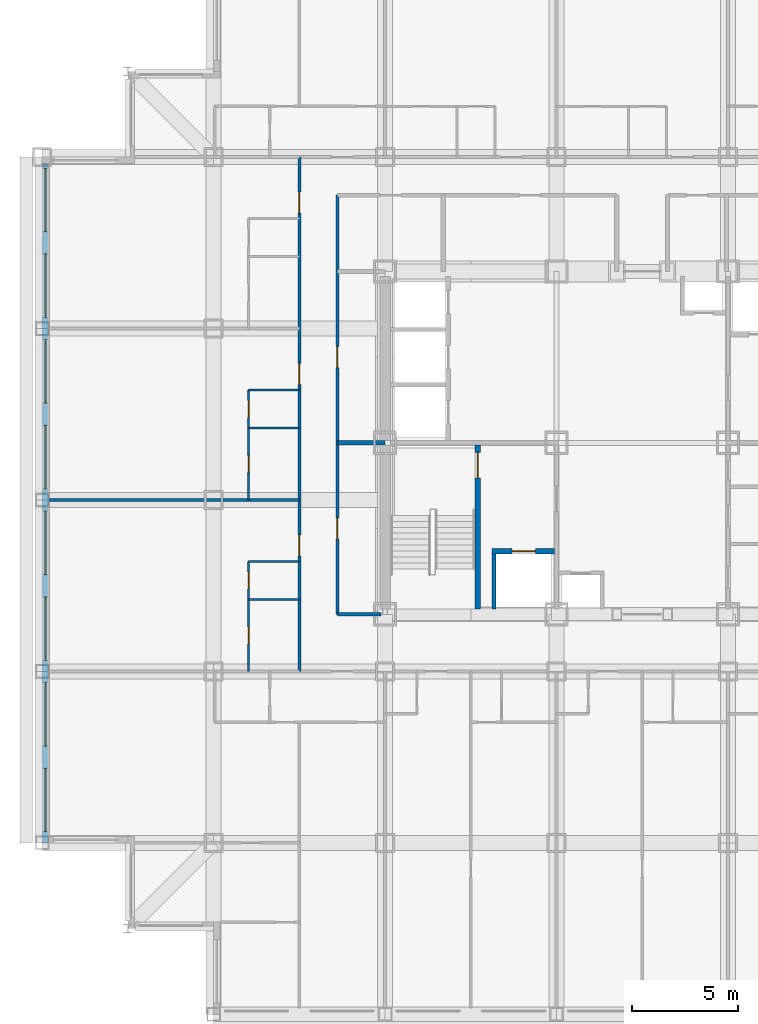
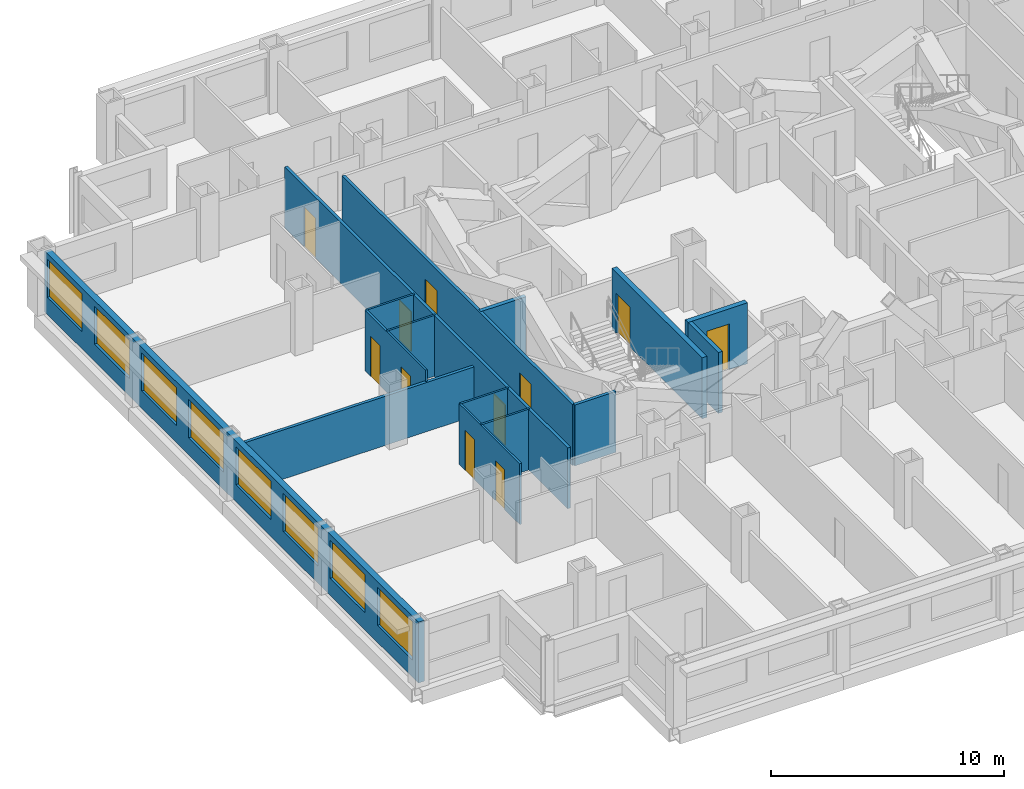
# One storey, part 5 of 12: 15 walls, 11 doors, 8 windows, 19 openings.
"""IFC4 building model written with IfcOpenShell, lengths in metres."""

import ifcopenshell
import ifcopenshell.guid

model = None  # the IFC model being written
_history = None  # IfcOwnerHistory: only IFC2X3 demands one
_inside = {}  # id of a spatial element -> (the spatial element, [elements in it])
_under = {}  # id of a project, library or spatial element -> (it, [spatial elements below it])
_declared = {}  # id of a project -> (the project, [libraries it declares])
_typed = {}  # id of a type object -> (the type object, [elements of that type])
_made_of = {}  # id of a material, layer set ... -> (it, [elements and type objects made of it])


def new_model(schema):
    """Start an empty IFC model of exactly this schema.

    Asked for "IFC4X3", IfcOpenShell would pick the latest addendum, in which some entities
    have other attributes; the version numbers below select the first issue.
    IFC2X3 requires an IfcOwnerHistory on every rooted entity: one is made here for all.
    """
    global model, _history
    if schema == "IFC4X3":
        model = ifcopenshell.file(schema_version=(4, 3, 0, 0))
    else:
        model = ifcopenshell.file(schema=schema)
    _inside.clear()
    _under.clear()
    _declared.clear()
    _typed.clear()
    _made_of.clear()
    _history = None
    if model.schema == "IFC2X3":
        org = make("IfcOrganization", Name="unknown")
        user = make(
            "IfcPersonAndOrganization",
            ThePerson=make("IfcPerson", FamilyName="unknown"),
            TheOrganization=org,
        )
        app = make(
            "IfcApplication",
            ApplicationDeveloper=org,
            Version="unknown",
            ApplicationFullName="unknown",
            ApplicationIdentifier="unknown",
        )
        _history = make(
            "IfcOwnerHistory",
            OwningUser=user,
            OwningApplication=app,
            ChangeAction="ADDED",
            CreationDate=0,
        )
    return model


def make(cls, **values):
    """One entity of the class cls with the attributes given. An attribute that is None is left unset."""
    return model.create_entity(
        cls, **{name: value for name, value in values.items() if value is not None}
    )


def rooted(cls, **values):
    """An entity with a GlobalId (a new one), such as an element, a storey or a relation."""
    return make(cls, GlobalId=ifcopenshell.guid.new(), OwnerHistory=_history, **values)


def si_unit(unit_type, name, prefix=None):
    """IfcSIUnit, for example si_unit("LENGTHUNIT", "METRE", prefix="MILLI")."""
    return make("IfcSIUnit", UnitType=unit_type, Prefix=prefix, Name=name)


def assignment(units):
    """IfcUnitAssignment: the units of a project."""
    return None if units is None else make("IfcUnitAssignment", Units=units)


def point(xyz):
    """IfcCartesianPoint."""
    return None if xyz is None else make("IfcCartesianPoint", Coordinates=xyz)


def direction(xyz):
    """IfcDirection."""
    return None if xyz is None else make("IfcDirection", DirectionRatios=xyz)


def frame(location, z_axis=None, x_axis=None):
    """IfcAxis2Placement3D, a coordinate frame: its origin and axes. An axis left out is left unset."""
    return make(
        "IfcAxis2Placement3D",
        Location=point(location),
        Axis=direction(z_axis),
        RefDirection=direction(x_axis),
    )


def frame_2d(location, x_axis=None):
    """IfcAxis2Placement2D, a coordinate frame in the plane: its origin and x axis."""
    return make(
        "IfcAxis2Placement2D", Location=point(location), RefDirection=direction(x_axis)
    )


def origin():
    """The frame at (0, 0, 0) with its axes left unset."""
    return frame((0.0, 0.0, 0.0))


def place(relative_to, where):
    """IfcLocalPlacement: puts the frame where relative to a parent placement (None: the world)."""
    return make(
        "IfcLocalPlacement", PlacementRelTo=relative_to, RelativePlacement=where
    )


def context(
    kind, dimensions, precision=None, world=None, true_north=None, identifier=None
):
    """IfcGeometricRepresentationContext, for example the 3D "Model" context."""
    return make(
        "IfcGeometricRepresentationContext",
        ContextIdentifier=identifier,
        ContextType=kind,
        CoordinateSpaceDimension=dimensions,
        Precision=precision,
        WorldCoordinateSystem=world,
        TrueNorth=true_north,
    )


def subcontext(parent, identifier, kind, view, scale=None):
    """IfcGeometricRepresentationSubContext, for example "Body" below "Model"."""
    return make(
        "IfcGeometricRepresentationSubContext",
        ContextIdentifier=identifier,
        ContextType=kind,
        ParentContext=parent,
        TargetScale=scale,
        TargetView=view,
    )


def project(units=None, contexts=None):
    """IfcProject with its units and contexts."""
    return rooted(
        "IfcProject",
        Name="project",
        RepresentationContexts=contexts,
        UnitsInContext=assignment(units),
    )


def spatial(cls, under=None, at=None, **own):
    """A site, building, storey or space (cls), placed at a placement, below another one or the project."""
    s = rooted(cls, ObjectPlacement=at, **own)
    if under is not None:
        _under.setdefault(under.id(), (under, []))[1].append(s)
    return s


def profile(cls, at=None, kind="AREA", **sizes):
    """A parametric profile (cls). Its sizes go by their IFC names, for example OverallWidth=200.0."""
    return make(cls, ProfileType=kind, Position=at, **sizes)


def rectangle(**sizes):
    """IfcRectangleProfileDef."""
    return profile("IfcRectangleProfileDef", **sizes)


def extrude(swept, where, along, depth):
    """IfcExtrudedAreaSolid: the profile swept, set in the frame where, extruded along a direction by depth."""
    return make(
        "IfcExtrudedAreaSolid",
        SweptArea=swept,
        Position=where,
        ExtrudedDirection=direction(along),
        Depth=depth,
    )


def shape(context_of_items, identifier, shape_type, items):
    """IfcShapeRepresentation: the items that make up one representation, for example the "Body"."""
    return make(
        "IfcShapeRepresentation",
        ContextOfItems=context_of_items,
        RepresentationIdentifier=identifier,
        RepresentationType=shape_type,
        Items=items,
    )


def material(Name=None, Category=None):
    """IfcMaterial."""
    return make("IfcMaterial", Name=Name, Category=Category)


def layer(
    of_material, thickness, ventilated=None, Name=None, Category=None, Priority=None
):
    """IfcMaterialLayer: one layer of a wall or slab, of a material (None: an air gap)."""
    return make(
        "IfcMaterialLayer",
        Material=of_material,
        LayerThickness=thickness,
        IsVentilated=ventilated,
        Name=Name,
        Category=Category,
        Priority=Priority,
    )


def layer_set(layers, Name=None):
    """IfcMaterialLayerSet."""
    return make("IfcMaterialLayerSet", MaterialLayers=layers, LayerSetName=Name)


def made_of(thing, what):
    """Note that an element or type object is made of a material, layer set ...; save() writes the relation."""
    if what is not None:
        _made_of.setdefault(what.id(), (what, []))[1].append(thing)
    return thing


def type_object(cls, material=None, **own):
    """A type object (cls), such as IfcWallType, which elements share."""
    return made_of(rooted(cls, **own), material)


def element(
    cls,
    number,
    at=None,
    inside=None,
    cuts=None,
    type_object=None,
    material=None,
    context=None,
    identifier="Body",
    shape_type=None,
    held_by="IfcProductDefinitionShape",
    body=None,
    shapes=None,
    **own,
):
    """One element of the class cls, such as IfcWall. Its Tag is "e" and its number.

    at: its placement. inside: the storey or other place that contains it. cuts: it is an
    opening in that element (IfcRelVoidsElement). A single representation is given by context,
    identifier, shape_type and body (its items); several are given by shapes. held_by: the class
    of the entity that holds the representations. save() writes the other relations.
    """
    e = rooted(cls, Tag="e%d" % number, ObjectPlacement=at, **own)
    if body is not None:
        shapes = [shape(context, identifier, shape_type, body)]
    if shapes is not None:
        e.Representation = make(held_by, Representations=shapes)
    if inside is not None:
        _inside.setdefault(inside.id(), (inside, []))[1].append(e)
    if cuts is not None:
        rooted(
            "IfcRelVoidsElement", RelatingBuildingElement=cuts, RelatedOpeningElement=e
        )
    if type_object is not None:
        _typed.setdefault(type_object.id(), (type_object, []))[1].append(e)
    return made_of(e, material)


def fill(opening, filler):
    """IfcRelFillsElement: the door or window that sits in an opening."""
    return rooted(
        "IfcRelFillsElement",
        RelatingOpeningElement=opening,
        RelatedBuildingElement=filler,
    )


def aggregate(whole, parts):
    """IfcRelAggregates: a whole, such as a stair, and the parts it consists of."""
    return rooted("IfcRelAggregates", RelatingObject=whole, RelatedObjects=parts)


def save(model, path):
    """Write the relations noted so far, then the file.

    IfcRelAggregates (storeys below a building ...), IfcRelContainedInSpatialStructure (elements
    in a storey), IfcRelDefinesByType, IfcRelAssociatesMaterial and IfcRelDeclares: one each for
    every whole, place, type object, material and project.
    """
    for whole, parts in _under.values():
        aggregate(whole, parts)
    for where, things in _inside.values():
        rooted(
            "IfcRelContainedInSpatialStructure",
            RelatedElements=things,
            RelatingStructure=where,
        )
    for kind, things in _typed.values():
        rooted("IfcRelDefinesByType", RelatedObjects=things, RelatingType=kind)
    for what, things in _made_of.values():
        rooted("IfcRelAssociatesMaterial", RelatedObjects=things, RelatingMaterial=what)
    for by, libraries in _declared.values():
        rooted("IfcRelDeclares", RelatingContext=by, RelatedDefinitions=libraries)
    model.write(path)


model = new_model("IFC4")

# Units and contexts
model_context = context("Model", 3, precision=1e-05, world=origin(), true_north=direction((0.0, 1.0)))
body_context = subcontext(model_context, "Body", "Model", "MODEL_VIEW")
ifc_project = project(units=[si_unit("LENGTHUNIT", "METRE"), si_unit("AREAUNIT", "SQUARE_METRE"), si_unit("VOLUMEUNIT", "CUBIC_METRE"), si_unit("PLANEANGLEUNIT", "RADIAN"), si_unit("MASSUNIT", "GRAM", prefix="KILO")], contexts=[model_context])

# Site, building, storey
site_placement = place(None, origin())
site = spatial("IfcSite", under=ifc_project, at=site_placement, CompositionType="ELEMENT")
building_placement = place(site_placement, origin())
building = spatial("IfcBuilding", under=site, at=building_placement, Name="Kopane Lantern Tower", CompositionType="ELEMENT")
storey_placement = place(building_placement, frame((0.0, 0.0, 103.39990234375)))
storey = spatial("IfcBuildingStorey", under=building, at=storey_placement, Name="L25", CompositionType="ELEMENT", Elevation=103.39990234375)

# Wall, openings, doors
ifc_material_1 = material(Name="Moisture-resistant board on steel studs", Category="steel")
ifc_layer_1 = layer(ifc_material_1, 0.10009765625)
ifc_layer_set_1 = layer_set([ifc_layer_1], Name="BATHROOM WALL 100")
wall_type_1 = type_object("IfcWallType", Name="BATHROOM WALL 100", PredefinedType="PARTITIONING", material=ifc_layer_set_1)
wall_1_placement = place(storey_placement, frame((9.75, 21.60009765625, 0.0), z_axis=(0.0, 0.0, 1.0), x_axis=(0.0, 1.0, 0.0)))
wall_1 = element("IfcWall", 1, at=wall_1_placement, inside=storey, type_object=wall_type_1, Name="Bathroom Wall 100 L25", PredefinedType="PARTITIONING", context=body_context, shape_type="SweptSolid", body=[
    extrude(rectangle(XDim=5.199951171875, YDim=0.10009765625, at=frame_2d((2.60009765625, 0.0))), origin(), (0.0, 0.0, 1.0), 3.190185546875),
])
opening_1_placement = place(wall_1_placement, frame((1.300048828125, 0.0, 0.0)))
opening_1 = element("IfcOpeningElement", 2, at=opening_1_placement, cuts=wall_1, Name="Opening L25-030", PredefinedType="OPENING", context=body_context, shape_type="SweptSolid", body=[
    extrude(rectangle(XDim=0.800048828125, YDim=2.10009765625, at=frame_2d((0.39990234375, 1.050048828125))), frame((0.0, 0.06005859375, 0.0), z_axis=(0.0, -1.0, 0.0), x_axis=(1.0, 0.0, 0.0)), (0.0, 0.0, 1.0), 0.1201171875),
])
opening_2_placement = place(wall_1_placement, frame((3.89990234375, 0.0, 0.0)))
opening_2 = element("IfcOpeningElement", 3, at=opening_2_placement, cuts=wall_1, Name="Opening L25-031", PredefinedType="OPENING", context=body_context, shape_type="SweptSolid", body=[
    extrude(rectangle(XDim=0.800048828125, YDim=2.10009765625, at=frame_2d((0.39990234375, 1.050048828125))), frame((0.0, 0.06005859375, 0.0), z_axis=(0.0, -1.0, 0.0), x_axis=(1.0, 0.0, 0.0)), (0.0, 0.0, 1.0), 0.1201171875),
])
ifc_material_2 = material(Name="Timber door set", Category="wood")
door_type_1 = type_object("IfcDoorType", Name="DOOR D2 800x2100", OperationType="SINGLE_SWING_LEFT", PredefinedType="DOOR", material=ifc_material_2)
door_1_placement = place(opening_1_placement, origin())
door_1 = element("IfcDoor", 4, at=door_1_placement, inside=storey, type_object=door_type_1, Name="Door L25-030", OperationType="SINGLE_SWING_LEFT", OverallHeight=2.10009765625, OverallWidth=0.800048828125, PredefinedType="DOOR", context=body_context, shape_type="SweptSolid", body=[
    extrude(rectangle(XDim=0.800048828125, YDim=2.10009765625, at=frame_2d((0.39990234375, 1.050048828125))), frame((0.0, 0.02490234375, 0.0), z_axis=(0.0, -1.0, 0.0), x_axis=(1.0, 0.0, 0.0)), (0.0, 0.0, 1.0), 0.050048828125),
])
fill(opening_1, door_1)
door_2_placement = place(opening_2_placement, origin())
door_2 = element("IfcDoor", 5, at=door_2_placement, inside=storey, type_object=door_type_1, Name="Door L25-031", OperationType="SINGLE_SWING_LEFT", OverallHeight=2.10009765625, OverallWidth=0.800048828125, PredefinedType="DOOR", context=body_context, shape_type="SweptSolid", body=[
    extrude(rectangle(XDim=0.800048828125, YDim=2.10009765625, at=frame_2d((0.39990234375, 1.050048828125))), frame((0.0, 0.02490234375, 0.0), z_axis=(0.0, -1.0, 0.0), x_axis=(1.0, 0.0, 0.0)), (0.0, 0.0, 1.0), 0.050048828125),
])
fill(opening_2, door_2)

# Walls
for number, where, z_axis, x_axis, name in (
    (6, (12.14990234375, 25.0, 0.0), (0.0, 0.0, 1.0), (-1.0, 0.0, 0.0), "Bathroom Wall 100 L25"),
    (7, (12.14990234375, 26.800048828125, 0.0), (0.0, 0.0, 1.0), (-1.0, 0.0, 0.0), "Bathroom Wall 100 L25"),
):
    element("IfcWall", number, at=place(storey_placement, frame(where, z_axis=z_axis, x_axis=x_axis)), inside=storey, type_object=wall_type_1, Name=name, PredefinedType="PARTITIONING", context=body_context, shape_type="SweptSolid", body=[
        extrude(rectangle(XDim=2.39990234375, YDim=0.10009765625, at=frame_2d((1.199951171875, 0.0))), origin(), (0.0, 0.0, 1.0), 3.190185546875),
    ])

# Wall, openings, doors
wall_2_placement = place(storey_placement, frame((9.75, 29.699951171875, 0.0), z_axis=(0.0, 0.0, 1.0), x_axis=(0.0, 1.0, 0.0)))
wall_2 = element("IfcWall", 8, at=wall_2_placement, inside=storey, type_object=wall_type_1, Name="Bathroom Wall 100 L25", PredefinedType="PARTITIONING", context=body_context, shape_type="SweptSolid", body=[
    extrude(rectangle(XDim=5.199951171875, YDim=0.10009765625, at=frame_2d((2.60009765625, 0.0))), origin(), (0.0, 0.0, 1.0), 3.190185546875),
])
opening_3_placement = place(wall_2_placement, frame((1.300048828125, 0.0, 0.0)))
opening_3 = element("IfcOpeningElement", 9, at=opening_3_placement, cuts=wall_2, Name="Opening L25-033", PredefinedType="OPENING", context=body_context, shape_type="SweptSolid", body=[
    extrude(rectangle(XDim=0.800048828125, YDim=2.10009765625, at=frame_2d((0.39990234375, 1.050048828125))), frame((0.0, 0.06005859375, 0.0), z_axis=(0.0, -1.0, 0.0), x_axis=(1.0, 0.0, 0.0)), (0.0, 0.0, 1.0), 0.1201171875),
])
opening_4_placement = place(wall_2_placement, frame((3.89990234375, 0.0, 0.0)))
opening_4 = element("IfcOpeningElement", 10, at=opening_4_placement, cuts=wall_2, Name="Opening L25-034", PredefinedType="OPENING", context=body_context, shape_type="SweptSolid", body=[
    extrude(rectangle(XDim=0.800048828125, YDim=2.10009765625, at=frame_2d((0.39990234375, 1.050048828125))), frame((0.0, 0.06005859375, 0.0), z_axis=(0.0, -1.0, 0.0), x_axis=(1.0, 0.0, 0.0)), (0.0, 0.0, 1.0), 0.1201171875),
])
door_3_placement = place(opening_3_placement, origin())
door_3 = element("IfcDoor", 11, at=door_3_placement, inside=storey, type_object=door_type_1, Name="Door L25-033", OperationType="SINGLE_SWING_LEFT", OverallHeight=2.10009765625, OverallWidth=0.800048828125, PredefinedType="DOOR", context=body_context, shape_type="SweptSolid", body=[
    extrude(rectangle(XDim=0.800048828125, YDim=2.10009765625, at=frame_2d((0.39990234375, 1.050048828125))), frame((0.0, 0.02490234375, 0.0), z_axis=(0.0, -1.0, 0.0), x_axis=(1.0, 0.0, 0.0)), (0.0, 0.0, 1.0), 0.050048828125),
])
fill(opening_3, door_3)
door_4_placement = place(opening_4_placement, origin())
door_4 = element("IfcDoor", 12, at=door_4_placement, inside=storey, type_object=door_type_1, Name="Door L25-034", OperationType="SINGLE_SWING_LEFT", OverallHeight=2.10009765625, OverallWidth=0.800048828125, PredefinedType="DOOR", context=body_context, shape_type="SweptSolid", body=[
    extrude(rectangle(XDim=0.800048828125, YDim=2.10009765625, at=frame_2d((0.39990234375, 1.050048828125))), frame((0.0, 0.02490234375, 0.0), z_axis=(0.0, -1.0, 0.0), x_axis=(1.0, 0.0, 0.0)), (0.0, 0.0, 1.0), 0.050048828125),
])
fill(opening_4, door_4)

# Walls
for number, where, z_axis, x_axis, name in (
    (13, (12.14990234375, 33.10009765625, 0.0), (0.0, 0.0, 1.0), (-1.0, 0.0, 0.0), "Bathroom Wall 100 L25"),
    (14, (12.14990234375, 34.89990234375, 0.0), (0.0, 0.0, 1.0), (-1.0, 0.0, 0.0), "Bathroom Wall 100 L25"),
):
    element("IfcWall", number, at=place(storey_placement, frame(where, z_axis=z_axis, x_axis=x_axis)), inside=storey, type_object=wall_type_1, Name=name, PredefinedType="PARTITIONING", context=body_context, shape_type="SweptSolid", body=[
        extrude(rectangle(XDim=2.39990234375, YDim=0.10009765625, at=frame_2d((1.199951171875, 0.0))), origin(), (0.0, 0.0, 1.0), 3.190185546875),
    ])

# Wall, opening, door
ifc_material_3 = material(Name="Gypsum shaft wall EI 120", Category="gypsum")
ifc_layer_2 = layer(ifc_material_3, 0.25)
ifc_layer_set_2 = layer_set([ifc_layer_2], Name="CORE SHAFT WALL 250 EI 120")
wall_type_2 = type_object("IfcWallType", Name="CORE SHAFT WALL 250 EI 120", PredefinedType="SOLIDWALL", material=ifc_layer_set_2)
wall_3_placement = place(storey_placement, frame((20.574951171875, 24.550048828125, 0.0), z_axis=(0.0, 0.0, 1.0), x_axis=(0.0, 1.0, 0.0)))
wall_3 = element("IfcWall", 15, at=wall_3_placement, inside=storey, type_object=wall_type_2, Name="Core shaft wall L25 XST1", PredefinedType="SOLIDWALL", context=body_context, shape_type="SweptSolid", body=[
    extrude(rectangle(XDim=7.75, YDim=0.25, at=frame_2d((3.875, 0.0))), origin(), (0.0, 0.0, 1.0), 3.190185546875),
])
opening_5_placement = place(wall_3_placement, frame((6.199951171875, 0.0, 0.0)))
opening_5 = element("IfcOpeningElement", 16, at=opening_5_placement, cuts=wall_3, Name="Opening 25.SD1", PredefinedType="OPENING", context=body_context, shape_type="SweptSolid", body=[
    extrude(rectangle(XDim=1.199951171875, YDim=2.10009765625, at=frame_2d((0.60009765625, 1.050048828125))), frame((0.0, 0.135009765625, 0.0), z_axis=(0.0, -1.0, 0.0), x_axis=(1.0, 0.0, 0.0)), (0.0, 0.0, 1.0), 0.27001953125),
])
ifc_material_4 = material(Name="Steel door set", Category="steel")
door_type_2 = type_object("IfcDoorType", Name="STAIR DOOR 1200x2100 FD60S", OperationType="SINGLE_SWING_LEFT", PredefinedType="DOOR", material=ifc_material_4)
door_5_placement = place(opening_5_placement, origin())
door_5 = element("IfcDoor", 17, at=door_5_placement, inside=storey, type_object=door_type_2, Name="Stair door ST1 L25", OperationType="SINGLE_SWING_LEFT", OverallHeight=2.10009765625, OverallWidth=1.199951171875, PredefinedType="DOOR", context=body_context, shape_type="SweptSolid", body=[
    extrude(rectangle(XDim=1.199951171875, YDim=2.10009765625, at=frame_2d((0.60009765625, 1.050048828125))), frame((0.0, 0.02490234375, 0.0), z_axis=(0.0, -1.0, 0.0), x_axis=(1.0, 0.0, 0.0)), (0.0, 0.0, 1.0), 0.050048828125),
])
fill(opening_5, door_5)

wall_4_placement = place(storey_placement, frame((21.25, 27.27490234375, 0.0), z_axis=(0.0, 0.0, 1.0), x_axis=(1.0, 0.0, 0.0)))
wall_4 = element("IfcWall", 18, at=wall_4_placement, inside=storey, type_object=wall_type_2, Name="Core shaft wall L25 YLF1", PredefinedType="SOLIDWALL", context=body_context, shape_type="SweptSolid", body=[
    extrude(rectangle(XDim=2.949951171875, YDim=0.25, at=frame_2d((1.47509765625, 0.0))), origin(), (0.0, 0.0, 1.0), 3.190185546875),
])
opening_6_placement = place(wall_4_placement, frame((0.949951171875, 0.0, 0.0)))
opening_6 = element("IfcOpeningElement", 19, at=opening_6_placement, cuts=wall_4, Name="Opening 25.LD-LF1", PredefinedType="OPENING", context=body_context, shape_type="SweptSolid", body=[
    extrude(rectangle(XDim=1.10009765625, YDim=2.39990234375, at=frame_2d((0.550048828125, 1.199951171875))), frame((0.0, 0.135009765625, 0.0), z_axis=(0.0, -1.0, 0.0), x_axis=(1.0, 0.0, 0.0)), (0.0, 0.0, 1.0), 0.27001953125),
])
ifc_material_5 = material(Name="Steel door set", Category="steel")
door_type_3 = type_object("IfcDoorType", Name="LIFT LANDING DOOR 1100x2400 FD60", OperationType="DOUBLE_DOOR_SLIDING", PredefinedType="DOOR", material=ifc_material_5)
door_6_placement = place(opening_6_placement, origin())
door_6 = element("IfcDoor", 20, at=door_6_placement, inside=storey, type_object=door_type_3, Name="Landing door LF1 L25", OperationType="DOUBLE_DOOR_SLIDING", OverallHeight=2.39990234375, OverallWidth=1.10009765625, PredefinedType="DOOR", context=body_context, shape_type="SweptSolid", body=[
    extrude(rectangle(XDim=1.10009765625, YDim=2.39990234375, at=frame_2d((0.550048828125, 1.199951171875))), frame((0.0, 0.02490234375, 0.0), z_axis=(0.0, -1.0, 0.0), x_axis=(1.0, 0.0, 0.0)), (0.0, 0.0, 1.0), 0.050048828125),
])
fill(opening_6, door_6)

# Wall, openings, doors
ifc_material_6 = material(Name="Gypsum board on steel studs", Category="steel")
ifc_layer_3 = layer(ifc_material_6, 0.14990234375)
ifc_layer_set_3 = layer_set([ifc_layer_3], Name="CORRIDOR WALL 150 EI 60")
wall_type_3 = type_object("IfcWallType", Name="CORRIDOR WALL 150 EI 60", PredefinedType="PARTITIONING", material=ifc_layer_set_3)
wall_5_placement = place(storey_placement, frame((12.14990234375, 21.60009765625, 0.0), z_axis=(0.0, 0.0, 1.0), x_axis=(0.0, 1.0, 0.0)))
wall_5 = element("IfcWall", 21, at=wall_5_placement, inside=storey, type_object=wall_type_3, Name="Corridor Wall 150 Ei 60 L25", PredefinedType="PARTITIONING", context=body_context, shape_type="SweptSolid", body=[
    extrude(rectangle(XDim=24.2998046875, YDim=0.14990234375, at=frame_2d((12.14990234375, 0.0))), origin(), (0.0, 0.0, 1.0), 3.190185546875),
])
opening_7_placement = place(wall_5_placement, frame((5.449951171875, 0.0, 0.0)))
opening_7 = element("IfcOpeningElement", 22, at=opening_7_placement, cuts=wall_5, Name="Opening L25-032", PredefinedType="OPENING", context=body_context, shape_type="SweptSolid", body=[
    extrude(rectangle(XDim=1.0, YDim=2.10009765625, at=frame_2d((0.5, 1.050048828125))), frame((0.0, 0.0849609375, 0.0), z_axis=(0.0, -1.0, 0.0), x_axis=(1.0, 0.0, 0.0)), (0.0, 0.0, 1.0), 0.169921875),
])
opening_8_placement = place(wall_5_placement, frame((13.550048828125, 0.0, 0.0)))
opening_8 = element("IfcOpeningElement", 23, at=opening_8_placement, cuts=wall_5, Name="Opening L25-035", PredefinedType="OPENING", context=body_context, shape_type="SweptSolid", body=[
    extrude(rectangle(XDim=1.0, YDim=2.10009765625, at=frame_2d((0.5, 1.050048828125))), frame((0.0, 0.0849609375, 0.0), z_axis=(0.0, -1.0, 0.0), x_axis=(1.0, 0.0, 0.0)), (0.0, 0.0, 1.0), 0.169921875),
])
opening_9_placement = place(wall_5_placement, frame((21.64990234375, 0.0, 0.0)))
opening_9 = element("IfcOpeningElement", 24, at=opening_9_placement, cuts=wall_5, Name="Opening L25-038", PredefinedType="OPENING", context=body_context, shape_type="SweptSolid", body=[
    extrude(rectangle(XDim=1.0, YDim=2.10009765625, at=frame_2d((0.5, 1.050048828125))), frame((0.0, 0.0849609375, 0.0), z_axis=(0.0, -1.0, 0.0), x_axis=(1.0, 0.0, 0.0)), (0.0, 0.0, 1.0), 0.169921875),
])
ifc_material_7 = material(Name="Steel door set", Category="steel")
door_type_4 = type_object("IfcDoorType", Name="DOOR D1 1000x2100 FD30S", OperationType="SINGLE_SWING_LEFT", PredefinedType="DOOR", material=ifc_material_7)
door_7_placement = place(opening_7_placement, origin())
door_7 = element("IfcDoor", 25, at=door_7_placement, inside=storey, type_object=door_type_4, Name="Door L25-032", OperationType="SINGLE_SWING_LEFT", OverallHeight=2.10009765625, OverallWidth=1.0, PredefinedType="DOOR", context=body_context, shape_type="SweptSolid", body=[
    extrude(rectangle(XDim=1.0, YDim=2.10009765625, at=frame_2d((0.5, 1.050048828125))), frame((0.0, 0.02490234375, 0.0), z_axis=(0.0, -1.0, 0.0), x_axis=(1.0, 0.0, 0.0)), (0.0, 0.0, 1.0), 0.050048828125),
])
fill(opening_7, door_7)
door_8_placement = place(opening_8_placement, origin())
door_8 = element("IfcDoor", 26, at=door_8_placement, inside=storey, type_object=door_type_4, Name="Door L25-035", OperationType="SINGLE_SWING_LEFT", OverallHeight=2.10009765625, OverallWidth=1.0, PredefinedType="DOOR", context=body_context, shape_type="SweptSolid", body=[
    extrude(rectangle(XDim=1.0, YDim=2.10009765625, at=frame_2d((0.5, 1.050048828125))), frame((0.0, 0.02490234375, 0.0), z_axis=(0.0, -1.0, 0.0), x_axis=(1.0, 0.0, 0.0)), (0.0, 0.0, 1.0), 0.050048828125),
])
fill(opening_8, door_8)
door_9_placement = place(opening_9_placement, origin())
door_9 = element("IfcDoor", 27, at=door_9_placement, inside=storey, type_object=door_type_4, Name="Door L25-038", OperationType="SINGLE_SWING_LEFT", OverallHeight=2.10009765625, OverallWidth=1.0, PredefinedType="DOOR", context=body_context, shape_type="SweptSolid", body=[
    extrude(rectangle(XDim=1.0, YDim=2.10009765625, at=frame_2d((0.5, 1.050048828125))), frame((0.0, 0.02490234375, 0.0), z_axis=(0.0, -1.0, 0.0), x_axis=(1.0, 0.0, 0.0)), (0.0, 0.0, 1.0), 0.050048828125),
])
fill(opening_9, door_9)

wall_6_placement = place(storey_placement, frame((13.949951171875, 44.10009765625, 0.0), z_axis=(0.0, 0.0, 1.0), x_axis=(0.0, -1.0, 0.0)))
wall_6 = element("IfcWall", 28, at=wall_6_placement, inside=storey, type_object=wall_type_3, Name="Corridor Wall 150 Ei 60 L25", PredefinedType="PARTITIONING", context=body_context, shape_type="SweptSolid", body=[
    extrude(rectangle(XDim=19.800048828125, YDim=0.14990234375, at=frame_2d((9.89990234375, 0.0))), origin(), (0.0, 0.0, 1.0), 3.190185546875),
])
opening_10_placement = place(wall_6_placement, frame((15.25, 0.0, 0.0)))
opening_10 = element("IfcOpeningElement", 29, at=opening_10_placement, cuts=wall_6, Name="Opening L25-001", PredefinedType="OPENING", context=body_context, shape_type="SweptSolid", body=[
    extrude(rectangle(XDim=1.0, YDim=2.10009765625, at=frame_2d((0.5, 1.050048828125))), frame((0.0, 0.0849609375, 0.0), z_axis=(0.0, -1.0, 0.0), x_axis=(1.0, 0.0, 0.0)), (0.0, 0.0, 1.0), 0.169921875),
])
opening_11_placement = place(wall_6_placement, frame((7.14990234375, 0.0, 0.0)))
opening_11 = element("IfcOpeningElement", 30, at=opening_11_placement, cuts=wall_6, Name="Opening L25-002", PredefinedType="OPENING", context=body_context, shape_type="SweptSolid", body=[
    extrude(rectangle(XDim=1.0, YDim=2.10009765625, at=frame_2d((0.5, 1.050048828125))), frame((0.0, 0.0849609375, 0.0), z_axis=(0.0, -1.0, 0.0), x_axis=(1.0, 0.0, 0.0)), (0.0, 0.0, 1.0), 0.169921875),
])
ifc_material_8 = material(Name="Steel door set", Category="steel")
door_type_5 = type_object("IfcDoorType", Name="DOOR D5 1000x2100 FD60", OperationType="SINGLE_SWING_LEFT", PredefinedType="DOOR", material=ifc_material_8)
door_10_placement = place(opening_10_placement, origin())
door_10 = element("IfcDoor", 31, at=door_10_placement, inside=storey, type_object=door_type_5, Name="Door L25-001", OperationType="SINGLE_SWING_RIGHT", OverallHeight=2.10009765625, OverallWidth=1.0, PredefinedType="DOOR", context=body_context, shape_type="SweptSolid", body=[
    extrude(rectangle(XDim=1.0, YDim=2.10009765625, at=frame_2d((0.5, 1.050048828125))), frame((0.0, 0.02490234375, 0.0), z_axis=(0.0, -1.0, 0.0), x_axis=(1.0, 0.0, 0.0)), (0.0, 0.0, 1.0), 0.050048828125),
])
fill(opening_10, door_10)
door_11_placement = place(opening_11_placement, origin())
door_11 = element("IfcDoor", 32, at=door_11_placement, inside=storey, type_object=door_type_5, Name="Door L25-002", OperationType="SINGLE_SWING_LEFT", OverallHeight=2.10009765625, OverallWidth=1.0, PredefinedType="DOOR", context=body_context, shape_type="SweptSolid", body=[
    extrude(rectangle(XDim=1.0, YDim=2.10009765625, at=frame_2d((0.5, 1.050048828125))), frame((0.0, 0.02490234375, 0.0), z_axis=(0.0, -1.0, 0.0), x_axis=(1.0, 0.0, 0.0)), (0.0, 0.0, 1.0), 0.050048828125),
])
fill(opening_11, door_11)

# Walls
wall_7_placement = place(storey_placement, frame((13.949951171875, 24.300048828125, 0.0), z_axis=(0.0, 0.0, 1.0), x_axis=(1.0, 0.0, 0.0)))
element("IfcWall", 33, at=wall_7_placement, inside=storey, type_object=wall_type_3, Name="Corridor Wall 150 Ei 60 L25", PredefinedType="PARTITIONING", context=body_context, shape_type="SweptSolid", body=[
    extrude(rectangle(XDim=2.050048828125, YDim=0.14990234375, at=frame_2d((1.02490234375, 0.0))), origin(), (0.0, 0.0, 1.0), 3.190185546875),
])
ifc_material_9 = material(Name="Gypsum board on steel studs", Category="steel")
ifc_layer_4 = layer(ifc_material_9, 0.14990234375)
ifc_layer_set_4 = layer_set([ifc_layer_4], Name="DEMISING WALL 150 EI 60")
wall_type_4 = type_object("IfcWallType", Name="DEMISING WALL 150 EI 60", PredefinedType="PARTITIONING", material=ifc_layer_set_4)
wall_8_placement = place(storey_placement, frame((12.14990234375, 29.699951171875, 0.0), z_axis=(0.0, 0.0, 1.0), x_axis=(-1.0, 0.0, 0.0)))
element("IfcWall", 34, at=wall_8_placement, inside=storey, type_object=wall_type_4, Name="Demising Wall 150 Ei 60 L25", PredefinedType="PARTITIONING", context=body_context, shape_type="SweptSolid", body=[
    extrude(rectangle(XDim=11.849853515625, YDim=0.14990234375, at=frame_2d((5.9248046875, 0.0))), origin(), (0.0, 0.0, 1.0), 2.577880859375),
])

# Wall, openings, windows
ifc_material_10 = material(Name="Terracotta rainscreen on light steel framing", Category="masonry")
ifc_layer_5 = layer(ifc_material_10, 0.300048828125)
ifc_layer_set_5 = layer_set([ifc_layer_5], Name="EXTERNAL WALL EW1 300 TERRACOTTA")
wall_type_5 = type_object("IfcWallType", Name="EXTERNAL WALL EW1 300 TERRACOTTA", PredefinedType="SOLIDWALL", material=ifc_layer_set_5)
wall_9_placement = place(storey_placement, frame((0.14990234375, 45.60009765625, 0.0), z_axis=(0.0, 0.0, 1.0), x_axis=(0.0, -1.0, 0.0)))
wall_9 = element("IfcWall", 35, at=wall_9_placement, inside=storey, type_object=wall_type_5, Name="External wall W L25", PredefinedType="SOLIDWALL", context=body_context, shape_type="SweptSolid", body=[
    extrude(rectangle(XDim=32.10009765625, YDim=0.300048828125, at=frame_2d((16.050048828125, 0.0))), origin(), (0.0, 0.0, 1.0), 3.190185546875),
])
opening_12_placement = place(wall_9_placement, frame((0.22509765625, 0.0, 0.89990234375)))
opening_12 = element("IfcOpeningElement", 36, at=opening_12_placement, cuts=wall_9, Name="Opening WR300200", PredefinedType="OPENING", context=body_context, shape_type="SweptSolid", body=[
    extrude(rectangle(XDim=3.0, YDim=2.0, at=frame_2d((1.5, 1.0))), frame((0.0, 0.159912109375, 0.0), z_axis=(0.0, -1.0, 0.0), x_axis=(1.0, 0.0, 0.0)), (0.0, 0.0, 1.0), 0.320068359375),
])
opening_13_placement = place(wall_9_placement, frame((4.27490234375, 0.0, 0.89990234375)))
opening_13 = element("IfcOpeningElement", 37, at=opening_13_placement, cuts=wall_9, Name="Opening WR300200", PredefinedType="OPENING", context=body_context, shape_type="SweptSolid", body=[
    extrude(rectangle(XDim=3.0, YDim=2.0, at=frame_2d((1.5, 1.0))), frame((0.0, 0.159912109375, 0.0), z_axis=(0.0, -1.0, 0.0), x_axis=(1.0, 0.0, 0.0)), (0.0, 0.0, 1.0), 0.320068359375),
])
opening_14_placement = place(wall_9_placement, frame((8.324951171875, 0.0, 0.89990234375)))
opening_14 = element("IfcOpeningElement", 38, at=opening_14_placement, cuts=wall_9, Name="Opening WR300200", PredefinedType="OPENING", context=body_context, shape_type="SweptSolid", body=[
    extrude(rectangle(XDim=3.0, YDim=2.0, at=frame_2d((1.5, 1.0))), frame((0.0, 0.159912109375, 0.0), z_axis=(0.0, -1.0, 0.0), x_axis=(1.0, 0.0, 0.0)), (0.0, 0.0, 1.0), 0.320068359375),
])
opening_15_placement = place(wall_9_placement, frame((12.375, 0.0, 0.89990234375)))
opening_15 = element("IfcOpeningElement", 39, at=opening_15_placement, cuts=wall_9, Name="Opening WR300200", PredefinedType="OPENING", context=body_context, shape_type="SweptSolid", body=[
    extrude(rectangle(XDim=3.0, YDim=2.0, at=frame_2d((1.5, 1.0))), frame((0.0, 0.159912109375, 0.0), z_axis=(0.0, -1.0, 0.0), x_axis=(1.0, 0.0, 0.0)), (0.0, 0.0, 1.0), 0.320068359375),
])
opening_16_placement = place(wall_9_placement, frame((16.425048828125, 0.0, 0.89990234375)))
opening_16 = element("IfcOpeningElement", 40, at=opening_16_placement, cuts=wall_9, Name="Opening WR300200", PredefinedType="OPENING", context=body_context, shape_type="SweptSolid", body=[
    extrude(rectangle(XDim=3.0, YDim=2.0, at=frame_2d((1.5, 1.0))), frame((0.0, 0.159912109375, 0.0), z_axis=(0.0, -1.0, 0.0), x_axis=(1.0, 0.0, 0.0)), (0.0, 0.0, 1.0), 0.320068359375),
])
opening_17_placement = place(wall_9_placement, frame((20.47509765625, 0.0, 0.89990234375)))
opening_17 = element("IfcOpeningElement", 41, at=opening_17_placement, cuts=wall_9, Name="Opening WR300200", PredefinedType="OPENING", context=body_context, shape_type="SweptSolid", body=[
    extrude(rectangle(XDim=3.0, YDim=2.0, at=frame_2d((1.5, 1.0))), frame((0.0, 0.159912109375, 0.0), z_axis=(0.0, -1.0, 0.0), x_axis=(1.0, 0.0, 0.0)), (0.0, 0.0, 1.0), 0.320068359375),
])
opening_18_placement = place(wall_9_placement, frame((24.52490234375, 0.0, 0.89990234375)))
opening_18 = element("IfcOpeningElement", 42, at=opening_18_placement, cuts=wall_9, Name="Opening WR300200", PredefinedType="OPENING", context=body_context, shape_type="SweptSolid", body=[
    extrude(rectangle(XDim=3.0, YDim=2.0, at=frame_2d((1.5, 1.0))), frame((0.0, 0.159912109375, 0.0), z_axis=(0.0, -1.0, 0.0), x_axis=(1.0, 0.0, 0.0)), (0.0, 0.0, 1.0), 0.320068359375),
])
opening_19_placement = place(wall_9_placement, frame((28.574951171875, 0.0, 0.89990234375)))
opening_19 = element("IfcOpeningElement", 43, at=opening_19_placement, cuts=wall_9, Name="Opening WR300200", PredefinedType="OPENING", context=body_context, shape_type="SweptSolid", body=[
    extrude(rectangle(XDim=3.0, YDim=2.0, at=frame_2d((1.5, 1.0))), frame((0.0, 0.159912109375, 0.0), z_axis=(0.0, -1.0, 0.0), x_axis=(1.0, 0.0, 0.0)), (0.0, 0.0, 1.0), 0.320068359375),
])
ifc_material_11 = material(Name="Aluminium and clear glass", Category="aluminium")
window_type = type_object("IfcWindowType", Name="RIBBON WINDOW WR300200 3000x2000", PartitioningType="SINGLE_PANEL", PredefinedType="WINDOW", material=ifc_material_11)
window_1_placement = place(opening_12_placement, origin())
window_1 = element("IfcWindow", 44, at=window_1_placement, inside=storey, type_object=window_type, Name="Window W L25", OverallHeight=2.0, OverallWidth=3.0, PartitioningType="SINGLE_PANEL", PredefinedType="WINDOW", context=body_context, shape_type="SweptSolid", body=[
    extrude(rectangle(XDim=3.0, YDim=2.0, at=frame_2d((1.5, 1.0))), frame((0.0, 0.030029296875, 0.0), z_axis=(0.0, -1.0, 0.0), x_axis=(1.0, 0.0, 0.0)), (0.0, 0.0, 1.0), 0.06005859375),
])
fill(opening_12, window_1)
window_2_placement = place(opening_13_placement, origin())
window_2 = element("IfcWindow", 45, at=window_2_placement, inside=storey, type_object=window_type, Name="Window W L25", OverallHeight=2.0, OverallWidth=3.0, PartitioningType="SINGLE_PANEL", PredefinedType="WINDOW", context=body_context, shape_type="SweptSolid", body=[
    extrude(rectangle(XDim=3.0, YDim=2.0, at=frame_2d((1.5, 1.0))), frame((0.0, 0.030029296875, 0.0), z_axis=(0.0, -1.0, 0.0), x_axis=(1.0, 0.0, 0.0)), (0.0, 0.0, 1.0), 0.06005859375),
])
fill(opening_13, window_2)
window_3_placement = place(opening_14_placement, origin())
window_3 = element("IfcWindow", 46, at=window_3_placement, inside=storey, type_object=window_type, Name="Window W L25", OverallHeight=2.0, OverallWidth=3.0, PartitioningType="SINGLE_PANEL", PredefinedType="WINDOW", context=body_context, shape_type="SweptSolid", body=[
    extrude(rectangle(XDim=3.0, YDim=2.0, at=frame_2d((1.5, 1.0))), frame((0.0, 0.030029296875, 0.0), z_axis=(0.0, -1.0, 0.0), x_axis=(1.0, 0.0, 0.0)), (0.0, 0.0, 1.0), 0.06005859375),
])
fill(opening_14, window_3)
window_4_placement = place(opening_15_placement, origin())
window_4 = element("IfcWindow", 47, at=window_4_placement, inside=storey, type_object=window_type, Name="Window W L25", OverallHeight=2.0, OverallWidth=3.0, PartitioningType="SINGLE_PANEL", PredefinedType="WINDOW", context=body_context, shape_type="SweptSolid", body=[
    extrude(rectangle(XDim=3.0, YDim=2.0, at=frame_2d((1.5, 1.0))), frame((0.0, 0.030029296875, 0.0), z_axis=(0.0, -1.0, 0.0), x_axis=(1.0, 0.0, 0.0)), (0.0, 0.0, 1.0), 0.06005859375),
])
fill(opening_15, window_4)
window_5_placement = place(opening_16_placement, origin())
window_5 = element("IfcWindow", 48, at=window_5_placement, inside=storey, type_object=window_type, Name="Window W L25", OverallHeight=2.0, OverallWidth=3.0, PartitioningType="SINGLE_PANEL", PredefinedType="WINDOW", context=body_context, shape_type="SweptSolid", body=[
    extrude(rectangle(XDim=3.0, YDim=2.0, at=frame_2d((1.5, 1.0))), frame((0.0, 0.030029296875, 0.0), z_axis=(0.0, -1.0, 0.0), x_axis=(1.0, 0.0, 0.0)), (0.0, 0.0, 1.0), 0.06005859375),
])
fill(opening_16, window_5)
window_6_placement = place(opening_17_placement, origin())
window_6 = element("IfcWindow", 49, at=window_6_placement, inside=storey, type_object=window_type, Name="Window W L25", OverallHeight=2.0, OverallWidth=3.0, PartitioningType="SINGLE_PANEL", PredefinedType="WINDOW", context=body_context, shape_type="SweptSolid", body=[
    extrude(rectangle(XDim=3.0, YDim=2.0, at=frame_2d((1.5, 1.0))), frame((0.0, 0.030029296875, 0.0), z_axis=(0.0, -1.0, 0.0), x_axis=(1.0, 0.0, 0.0)), (0.0, 0.0, 1.0), 0.06005859375),
])
fill(opening_17, window_6)
window_7_placement = place(opening_18_placement, origin())
window_7 = element("IfcWindow", 50, at=window_7_placement, inside=storey, type_object=window_type, Name="Window W L25", OverallHeight=2.0, OverallWidth=3.0, PartitioningType="SINGLE_PANEL", PredefinedType="WINDOW", context=body_context, shape_type="SweptSolid", body=[
    extrude(rectangle(XDim=3.0, YDim=2.0, at=frame_2d((1.5, 1.0))), frame((0.0, 0.030029296875, 0.0), z_axis=(0.0, -1.0, 0.0), x_axis=(1.0, 0.0, 0.0)), (0.0, 0.0, 1.0), 0.06005859375),
])
fill(opening_18, window_7)
window_8_placement = place(opening_19_placement, origin())
window_8 = element("IfcWindow", 51, at=window_8_placement, inside=storey, type_object=window_type, Name="Window W L25", OverallHeight=2.0, OverallWidth=3.0, PartitioningType="SINGLE_PANEL", PredefinedType="WINDOW", context=body_context, shape_type="SweptSolid", body=[
    extrude(rectangle(XDim=3.0, YDim=2.0, at=frame_2d((1.5, 1.0))), frame((0.0, 0.030029296875, 0.0), z_axis=(0.0, -1.0, 0.0), x_axis=(1.0, 0.0, 0.0)), (0.0, 0.0, 1.0), 0.06005859375),
])
fill(opening_19, window_8)

# Walls
ifc_material_12 = material(Name="Concrete masonry", Category="masonry")
ifc_layer_6 = layer(ifc_material_12, 0.199951171875)
ifc_layer_set_6 = layer_set([ifc_layer_6], Name="PLANT ROOM WALL 200 EI 120")
wall_type_6 = type_object("IfcWallType", Name="PLANT ROOM WALL 200 EI 120", PredefinedType="SOLIDWALL", material=ifc_layer_set_6)
wall_10_placement = place(storey_placement, frame((13.949951171875, 32.39990234375, 0.0), z_axis=(0.0, 0.0, 1.0), x_axis=(1.0, 0.0, 0.0)))
element("IfcWall", 52, at=wall_10_placement, inside=storey, type_object=wall_type_6, Name="Plant Room Wall 200 Ei 120 L25", PredefinedType="SOLIDWALL", context=body_context, shape_type="SweptSolid", body=[
    extrude(rectangle(XDim=2.25, YDim=0.199951171875, at=frame_2d((1.125, 0.0))), origin(), (0.0, 0.0, 1.0), 3.190185546875),
])
ifc_material_13 = material(Name="Gypsum shaft wall EI 120", Category="gypsum")
ifc_layer_7 = layer(ifc_material_13, 0.199951171875)
ifc_layer_set_7 = layer_set([ifc_layer_7], Name="SHAFT WALL 200 EI 120")
wall_type_7 = type_object("IfcWallType", Name="SHAFT WALL 200 EI 120", PredefinedType="SOLIDWALL", material=ifc_layer_set_7)
wall_11_placement = place(storey_placement, frame((21.35009765625, 24.550048828125, 0.0), z_axis=(0.0, 0.0, 1.0), x_axis=(0.0, 1.0, 0.0)))
element("IfcWall", 53, at=wall_11_placement, inside=storey, type_object=wall_type_7, Name="Core shaft wall L25 XLF1", PredefinedType="SOLIDWALL", context=body_context, shape_type="SweptSolid", body=[
    extrude(rectangle(XDim=2.599853515625, YDim=0.199951171875, at=frame_2d((1.2998046875, 0.0))), origin(), (0.0, 0.0, 1.0), 3.190185546875),
])

save(model, "model.ifc")
